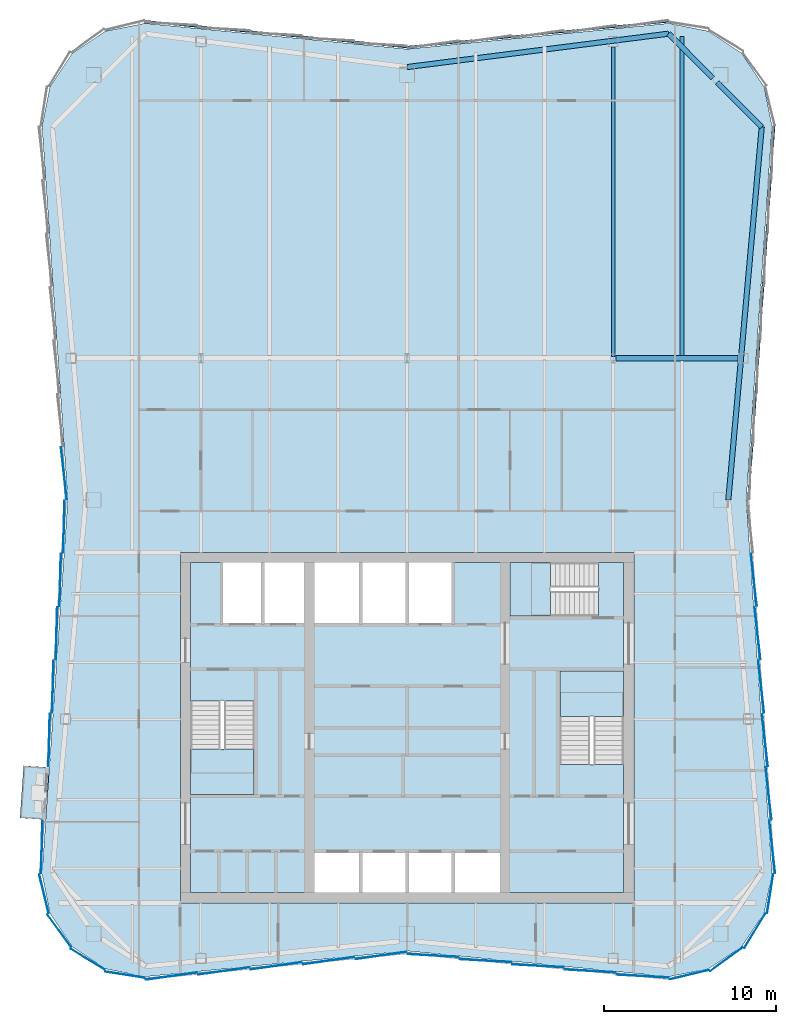
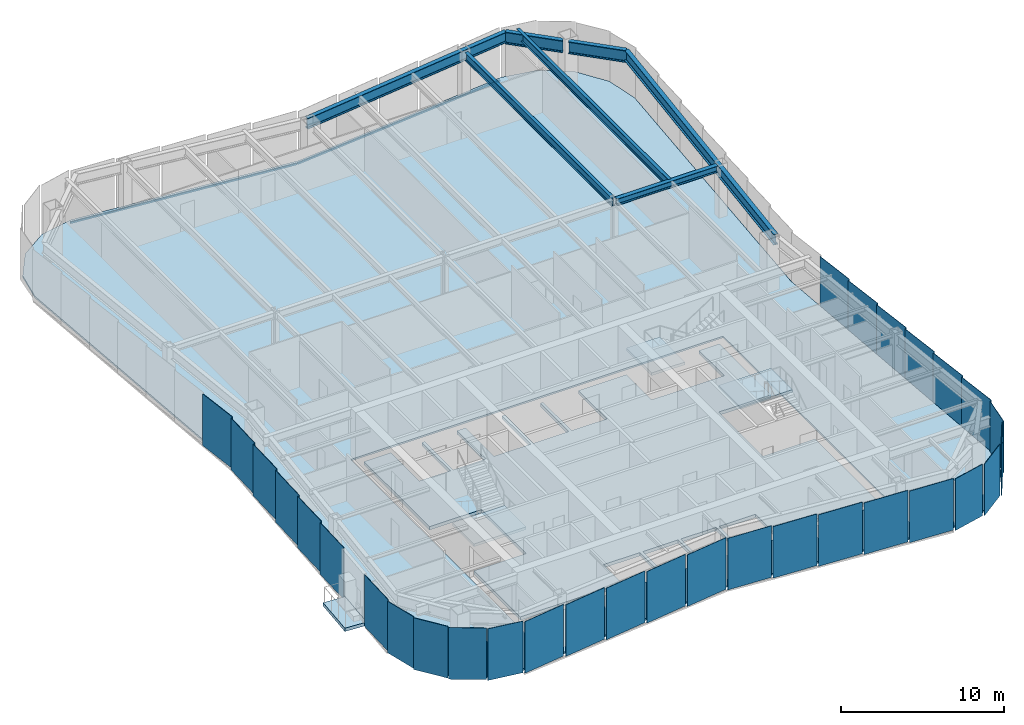
# One storey, part 4 of 10: 31 plates, 7 beams, 6 slabs, 3 members, 9 elements without a shape of their own.
"""IFC4 building model written with IfcOpenShell, lengths in metres."""

from ifc_helpers import new_model, si_unit, direction, frame, origin, origin_2d, place, context, subcontext, project, spatial, polyline, rectangle, i_section, outline, extrude, material, layer, layer_set, material_profile, profile_set, type_object, element, aggregate, save


model = new_model("IFC4")

# Units and contexts
model_context = context("Model", 3, precision=1e-05, world=origin(), true_north=direction((0.0, 1.0)))
body_context = subcontext(model_context, "Body", "Model", "MODEL_VIEW")
ifc_project = project(units=[si_unit("LENGTHUNIT", "METRE"), si_unit("AREAUNIT", "SQUARE_METRE"), si_unit("VOLUMEUNIT", "CUBIC_METRE"), si_unit("PLANEANGLEUNIT", "RADIAN"), si_unit("MASSUNIT", "GRAM", prefix="KILO")], contexts=[model_context])

# Site, building, storey
site_placement = place(None, origin())
site = spatial("IfcSite", under=ifc_project, at=site_placement, CompositionType="ELEMENT")
building_placement = place(site_placement, origin())
building = spatial("IfcBuilding", under=site, at=building_placement, Name="Verdant Reach Tower", CompositionType="ELEMENT")
storey_placement = place(building_placement, frame((0.0, 0.0, 302.0)))
storey = spatial("IfcBuildingStorey", under=building, at=storey_placement, Name="L69", CompositionType="ELEMENT", Elevation=302.0)

# Curtain wall, member
ifc_material_1 = material(Name="Anodised aluminium", Category="aluminium")
curtain_wall_type = type_object("IfcCurtainWallType", Name="EN-CW SYSTEM Z5", PredefinedType="NOTDEFINED", material=ifc_material_1)
curtain_wall_1_placement = place(storey_placement, origin())
curtain_wall_1 = element("IfcCurtainWall", 1, at=curtain_wall_1_placement, inside=storey, type_object=curtain_wall_type, Name="Curtain wall east, L69", PredefinedType="NOTDEFINED")
ifc_material_profile_1 = material_profile(ifc_material_1, rectangle(XDim=0.10009765625, YDim=0.1298828125, at=origin_2d()), Name="Transom 130x100")
ifc_profile_set_1 = profile_set([ifc_material_profile_1], Name="Anodised aluminium")
member_type = type_object("IfcMemberType", Name="EN-TRANSOM Z5", PredefinedType="USERDEFINED", material=ifc_profile_set_1)
member_1_placement = place(storey_placement, frame((19.867431640625, 41.284912109375, -0.284912109375), z_axis=(0.068764705107, 0.997632906099, 0.0), x_axis=(-0.997632906099, 0.068764705107, 0.0)))
member_1 = element("IfcMember", 2, at=member_1_placement, type_object=member_type, Name="Transom east face part 2 1.1, L69", ObjectType="TRANSOM", PredefinedType="USERDEFINED", context=body_context, shape_type="SweptSolid", body=[
    extrude(rectangle(XDim=0.10009765625, YDim=0.1298828125, at=origin_2d()), origin(), (0.0, 0.0, 1.0), 21.739013671875),
])

# Curtain wall, members
curtain_wall_2_placement = place(storey_placement, origin())
curtain_wall_2 = element("IfcCurtainWall", 3, at=curtain_wall_2_placement, inside=storey, type_object=curtain_wall_type, Name="Curtain wall north, L69", PredefinedType="NOTDEFINED")
member_2_placement = place(storey_placement, frame((15.220703125, 69.111328125, -0.284912109375), z_axis=(-0.99520229006, -0.097838652171, 0.0), x_axis=(0.097838652171, -0.99520229006, 0.0)))
member_2 = element("IfcMember", 4, at=member_2_placement, type_object=member_type, Name="Transom north face part 1 1.1, L69", ObjectType="TRANSOM", PredefinedType="USERDEFINED", context=body_context, shape_type="SweptSolid", body=[
    extrude(rectangle(XDim=0.10009765625, YDim=0.1298828125, at=origin_2d()), origin(), (0.0, 0.0, 1.0), 15.259033203125),
])
member_3_placement = place(storey_placement, frame((-0.034912109375, 67.618408203125, -0.284912109375), z_axis=(-0.99520229006, 0.097838652171, 0.0), x_axis=(-0.097838652171, -0.99520229006, 0.0)))
member_3 = element("IfcMember", 5, at=member_3_placement, type_object=member_type, Name="Transom north face part 2 1.1, L69", ObjectType="TRANSOM", PredefinedType="USERDEFINED", context=body_context, shape_type="SweptSolid", body=[
    extrude(rectangle(XDim=0.10009765625, YDim=0.1298828125, at=origin_2d()), origin(), (0.0, 0.0, 1.0), 15.259033203125),
])
aggregate(curtain_wall_2, [member_2, member_3])

# Beams
ifc_material_2 = material(Name="Steel S355", Category="steel")
ifc_material_profile_2 = material_profile(ifc_material_2, i_section(OverallWidth=0.300048828125, OverallDepth=0.489990234375, WebThickness=0.011962890625, FlangeThickness=0.02294921875, FilletRadius=0.027099609375, at=origin_2d()), Name="HEA 500")
ifc_profile_set_2 = profile_set([ifc_material_profile_2], Name="Steel S355")
beam_type_1 = type_object("IfcBeamType", Name="ST-BEAM-HEA500", PredefinedType="BEAM", material=ifc_profile_set_2)
beam_1_placement = place(storey_placement, frame((12.153076171875, 49.5, 3.625), z_axis=(1.0, 0.0, 0.0), x_axis=(0.0, 1.0, 0.0)))
element("IfcBeam", 6, at=beam_1_placement, inside=storey, type_object=beam_type_1, Name="Row girder, L69", PredefinedType="BEAM", context=body_context, shape_type="SweptSolid", body=[
    extrude(i_section(OverallWidth=0.300048828125, OverallDepth=0.489990234375, WebThickness=0.011962890625, FlangeThickness=0.02294921875, FilletRadius=0.027099609375, at=origin_2d()), origin(), (0.0, 0.0, 1.0), 7.115966796875),
])
ifc_material_profile_3 = material_profile(ifc_material_2, i_section(OverallWidth=0.219970703125, OverallDepth=0.60009765625, WebThickness=0.011962890625, FlangeThickness=0.01904296875, FilletRadius=0.02392578125, at=origin_2d()), Name="IPE 600")
ifc_profile_set_3 = profile_set([ifc_material_profile_3], Name="Steel S355")
beam_type_2 = type_object("IfcBeamType", Name="ST-JOIST-IPE600", PredefinedType="JOIST", material=ifc_profile_set_3)
beam_2_placement = place(storey_placement, frame((12.0, 49.60009765625, 3.570068359375), z_axis=(0.0, 1.0, 0.0), x_axis=(-1.0, 0.0, 0.0)))
element("IfcBeam", 7, at=beam_2_placement, inside=storey, type_object=beam_type_2, Name="Floor joist, L69", PredefinedType="JOIST", context=body_context, shape_type="SweptSolid", body=[
    extrude(i_section(OverallWidth=0.219970703125, OverallDepth=0.60009765625, WebThickness=0.011962890625, FlangeThickness=0.01904296875, FilletRadius=0.02392578125, at=origin_2d()), origin(), (0.0, 0.0, 1.0), 18.0302734375),
])
beam_3_placement = place(storey_placement, frame((16.0, 49.60009765625, 3.570068359375), z_axis=(0.0, 1.0, 0.0), x_axis=(-1.0, 0.0, 0.0)))
element("IfcBeam", 8, at=beam_3_placement, inside=storey, type_object=beam_type_2, Name="Floor joist, L69", PredefinedType="JOIST", context=body_context, shape_type="SweptSolid", body=[
    extrude(i_section(OverallWidth=0.219970703125, OverallDepth=0.60009765625, WebThickness=0.011962890625, FlangeThickness=0.01904296875, FilletRadius=0.02392578125, at=origin_2d()), origin(), (0.0, 0.0, 1.0), 18.638916015625),
])
ifc_material_profile_4 = material_profile(ifc_material_2, i_section(OverallWidth=0.300048828125, OverallDepth=0.800048828125, WebThickness=0.017578125, FlangeThickness=0.032958984375, FilletRadius=0.030029296875, at=origin_2d()), Name="HEB 800")
ifc_profile_set_4 = profile_set([ifc_material_profile_4], Name="Steel S355")
beam_type_3 = type_object("IfcBeamType", Name="ST-SPANDREL-HEB800", PredefinedType="SPANDREL", material=ifc_profile_set_4)
beam_4_placement = place(storey_placement, frame((0.0, 66.449951171875, 3.469970703125), z_axis=(0.991938889669, 0.126717162063, 0.0), x_axis=(-0.126717162063, 0.991938889669, 0.0)))
element("IfcBeam", 9, at=beam_4_placement, inside=storey, type_object=beam_type_3, Name="Edge beam, L69", PredefinedType="SPANDREL", context=body_context, shape_type="SweptSolid", body=[
    extrude(i_section(OverallWidth=0.300048828125, OverallDepth=0.800048828125, WebThickness=0.017578125, FlangeThickness=0.032958984375, FilletRadius=0.030029296875, at=origin_2d()), origin(), (0.0, 0.0, 1.0), 15.343994140625),
])
beam_5_placement = place(storey_placement, frame((20.64599609375, 62.96142578125, 3.469970703125), z_axis=(-0.089274399498, -0.996007069048, 0.0), x_axis=(0.996007069048, -0.089274399498, 0.0)))
element("IfcBeam", 10, at=beam_5_placement, inside=storey, type_object=beam_type_3, Name="Edge beam, L69", PredefinedType="SPANDREL", context=body_context, shape_type="SweptSolid", body=[
    extrude(i_section(OverallWidth=0.300048828125, OverallDepth=0.800048828125, WebThickness=0.017578125, FlangeThickness=0.032958984375, FilletRadius=0.030029296875, at=origin_2d()), origin(), (0.0, 0.0, 1.0), 21.798583984375),
])
ifc_material_profile_5 = material_profile(ifc_material_2, i_section(OverallWidth=0.302001953125, OverallDepth=0.909912109375, WebThickness=0.02099609375, FlangeThickness=0.0400390625, FilletRadius=0.030029296875, at=origin_2d()), Name="HEM 900")
ifc_profile_set_5 = profile_set([ifc_material_profile_5], Name="Steel S355")
beam_type_4 = type_object("IfcBeamType", Name="ST-SPANDREL-HEM900", PredefinedType="SPANDREL", material=ifc_profile_set_5)
beam_6_placement = place(storey_placement, frame((15.22021484375, 68.394287109375, 3.4150390625), z_axis=(0.706638520854, -0.707574731632, 0.0), x_axis=(0.707574731632, 0.706638520854, 0.0)))
element("IfcBeam", 11, at=beam_6_placement, inside=storey, type_object=beam_type_4, Name="Edge beam, L69", PredefinedType="SPANDREL", context=body_context, shape_type="SweptSolid", body=[
    extrude(i_section(OverallWidth=0.302001953125, OverallDepth=0.909912109375, WebThickness=0.02099609375, FlangeThickness=0.0400390625, FilletRadius=0.030029296875, at=origin_2d()), origin(), (0.0, 0.0, 1.0), 3.65087890625),
])
beam_7_placement = place(storey_placement, frame((18.060791015625, 65.550048828125, 3.4150390625), z_axis=(0.706639493403, -0.707573760369, 0.0), x_axis=(0.707573760369, 0.706639493403, 0.0)))
element("IfcBeam", 12, at=beam_7_placement, inside=storey, type_object=beam_type_4, Name="Edge beam, L69", PredefinedType="SPANDREL", context=body_context, shape_type="SweptSolid", body=[
    extrude(i_section(OverallWidth=0.302001953125, OverallDepth=0.909912109375, WebThickness=0.02099609375, FlangeThickness=0.0400390625, FilletRadius=0.030029296875, at=origin_2d()), origin(), (0.0, 0.0, 1.0), 3.658447265625),
])

# Stair, slab
ifc_material_3 = material(Name="Concrete C40/50", Category="concrete")
stair_type = type_object("IfcStairType", Name="CO-STAIR", PredefinedType="HALF_TURN_STAIR", material=ifc_material_3)
stair_1_placement = place(storey_placement, origin())
stair_1 = element("IfcStair", 13, at=stair_1_placement, inside=storey, type_object=stair_type, Name="L69 Exit stair 1", PredefinedType="HALF_TURN_STAIR")
ifc_layer_1 = layer(ifc_material_3, 0.199951171875)
ifc_layer_set_1 = layer_set([ifc_layer_1], Name="CO-STAIR-LANDING")
slab_type_1 = type_object("IfcSlabType", Name="CO-STAIR-LANDING", PredefinedType="LANDING", material=ifc_layer_set_1)
slab_1_placement = place(storey_placement, frame((0.0, 0.0, 1.800048828125)))
slab_1 = element("IfcSlab", 14, at=slab_1_placement, type_object=slab_type_1, Name="ST-1 landing 1", PredefinedType="LANDING", context=body_context, shape_type="SweptSolid", body=[
    extrude(outline(polyline([(-12.60009765625, 26.75), (-12.60009765625, 24.10009765625), (-8.89990234375, 24.10009765625), (-8.89990234375, 26.75), (-12.60009765625, 26.75)])), origin(), (0.0, 0.0, 1.0), 0.199951171875),
])
aggregate(stair_1, [slab_1])

stair_2_placement = place(storey_placement, origin())
stair_2 = element("IfcStair", 15, at=stair_2_placement, inside=storey, type_object=stair_type, Name="L69 Exit stair 2", PredefinedType="HALF_TURN_STAIR")
slab_2_placement = place(storey_placement, frame((0.0, 0.0, 1.800048828125)))
slab_2 = element("IfcSlab", 16, at=slab_2_placement, type_object=slab_type_1, Name="ST-2 landing 1", PredefinedType="LANDING", context=body_context, shape_type="SweptSolid", body=[
    extrude(outline(polyline([(12.60009765625, 28.64990234375), (12.60009765625, 31.300048828125), (8.89990234375, 31.300048828125), (8.89990234375, 28.64990234375), (12.60009765625, 28.64990234375)])), origin(), (0.0, 0.0, 1.0), 0.199951171875),
])
aggregate(stair_2, [slab_2])

stair_3_placement = place(storey_placement, origin())
stair_3 = element("IfcStair", 17, at=stair_3_placement, inside=storey, type_object=stair_type, Name="L69 Exit stair 3", PredefinedType="HALF_TURN_STAIR")
slab_3_placement = place(storey_placement, frame((0.0, 0.0, 1.800048828125)))
slab_3 = element("IfcSlab", 18, at=slab_3_placement, type_object=slab_type_1, Name="ST-3 landing 1", PredefinedType="LANDING", context=body_context, shape_type="SweptSolid", body=[
    extrude(outline(polyline([(8.35009765625, 37.60009765625), (6.0, 37.60009765625), (6.0, 34.5), (8.35009765625, 34.5), (8.35009765625, 37.60009765625)])), origin(), (0.0, 0.0, 1.0), 0.199951171875),
])
aggregate(stair_3, [slab_3])

# Slab
ifc_material_4 = material(Name="Concrete C35/45", Category="concrete")
ifc_layer_2 = layer(ifc_material_4, 0.25)
ifc_layer_set_2 = layer_set([ifc_layer_2], Name="EN-BALCONY SLAB")
slab_type_2 = type_object("IfcSlabType", Name="EN-BALCONY SLAB", PredefinedType="FLOOR", material=ifc_layer_set_2)
slab_4_placement = place(storey_placement, frame((0.0, 0.0, -0.25)))
element("IfcSlab", 19, at=slab_4_placement, inside=storey, type_object=slab_type_2, Name="Balcony slab 1, L69", PredefinedType="FLOOR", context=body_context, shape_type="SweptSolid", body=[
    extrude(outline(polyline([(-20.82373046875, 25.679443359375), (-21.033203125, 22.64208984375), (-22.52978515625, 22.745361328125), (-22.3203125, 25.782470703125), (-20.82373046875, 25.679443359375)])), origin(), (0.0, 0.0, 1.0), 0.25),
])

# Curtain wall, plates
curtain_wall_3_placement = place(storey_placement, origin())
curtain_wall_3 = element("IfcCurtainWall", 20, at=curtain_wall_3_placement, inside=storey, type_object=curtain_wall_type, Name="Curtain wall south-east corner, L69", PredefinedType="NOTDEFINED")
ifc_material_5 = material(Name="Tinted glass with champagne spandrel", Category="glass")
ifc_layer_3 = layer(ifc_material_5, 0.031982421875)
ifc_layer_set_3 = layer_set([ifc_layer_3], Name="EN-PANEL CHAMPAGNE")
plate_type_1 = type_object("IfcPlateType", Name="EN-PANEL CHAMPAGNE", PredefinedType="CURTAIN_PANEL", material=ifc_layer_set_3)
plate_1_placement = place(storey_placement, frame((18.58203125, 14.51318359375, -0.219970703125), z_axis=(0.0, 0.0, 1.0), x_axis=(0.807456783236, 0.58992672698, 0.0)))
plate_1 = element("IfcPlate", 21, at=plate_1_placement, type_object=plate_type_1, Name="Glass panel south-east corner 2.1, L69", PredefinedType="CURTAIN_PANEL", context=body_context, shape_type="SweptSolid", body=[
    extrude(rectangle(XDim=2.320068359375, YDim=0.031982421875, at=origin_2d()), origin(), (0.0, 0.0, 1.0), 3.8701171875),
])
plate_2_placement = place(storey_placement, frame((20.23681640625, 16.16796875, -0.219970703125), z_axis=(0.0, 0.0, 1.0), x_axis=(0.520291528711, 0.853988714885, 0.0)))
plate_2 = element("IfcPlate", 22, at=plate_2_placement, type_object=plate_type_1, Name="Glass panel south-east corner 3.1, L69", PredefinedType="CURTAIN_PANEL", context=body_context, shape_type="SweptSolid", body=[
    extrude(rectangle(XDim=2.320068359375, YDim=0.031982421875, at=origin_2d()), origin(), (0.0, 0.0, 1.0), 3.8701171875),
])

# Plate
plate_3_placement = place(storey_placement, frame((21.257568359375, 21.053955078125, -0.219970703125), z_axis=(0.0, 0.0, 1.0), x_axis=(-0.110197580247, 0.993909700782, 0.0)))
plate_3 = element("IfcPlate", 23, at=plate_3_placement, type_object=plate_type_1, Name="Glass panel east face part 1 1.1, L69", PredefinedType="CURTAIN_PANEL", context=body_context, shape_type="SweptSolid", body=[
    extrude(rectangle(XDim=3.063720703125, YDim=0.031982421875, at=origin_2d()), origin(), (0.0, 0.0, 1.0), 3.8701171875),
])

# Curtain wall, plates
curtain_wall_4_placement = place(storey_placement, origin())
curtain_wall_4 = element("IfcCurtainWall", 24, at=curtain_wall_4_placement, inside=storey, type_object=curtain_wall_type, Name="Curtain wall west, L69", PredefinedType="NOTDEFINED")
plate_4_placement = place(storey_placement, frame((-20.8291015625, 27.27587890625, -0.219970703125), z_axis=(0.0, 0.0, 1.0), x_axis=(-0.026965318308, -0.999636369691, 0.0)))
plate_4 = element("IfcPlate", 25, at=plate_4_placement, type_object=plate_type_1, Name="Glass panel west face part 2 5.1, L69", PredefinedType="CURTAIN_PANEL", context=body_context, shape_type="SweptSolid", body=[
    extrude(rectangle(XDim=3.048583984375, YDim=0.031982421875, at=origin_2d()), origin(), (0.0, 0.0, 1.0), 3.8701171875),
])
plate_5_placement = place(storey_placement, frame((-21.257568359375, 21.053955078125, -0.219970703125), z_axis=(0.0, 0.0, 1.0), x_axis=(-0.026642881595, -0.999645015423, 0.0)))
plate_5 = element("IfcPlate", 26, at=plate_5_placement, type_object=plate_type_1, Name="Glass panel west face part 2 7.1, L69", PredefinedType="CURTAIN_PANEL", context=body_context, shape_type="SweptSolid", body=[
    extrude(rectangle(XDim=3.063720703125, YDim=0.031982421875, at=origin_2d()), origin(), (0.0, 0.0, 1.0), 3.8701171875),
])

# Curtain wall, plate
curtain_wall_5_placement = place(storey_placement, origin())
curtain_wall_5 = element("IfcCurtainWall", 27, at=curtain_wall_5_placement, inside=storey, type_object=curtain_wall_type, Name="Curtain wall south-west corner, L69", PredefinedType="NOTDEFINED")
plate_6_placement = place(storey_placement, frame((-16.4228515625, 13.61767578125, -0.219970703125), z_axis=(0.0, 0.0, 1.0), x_axis=(0.988033409454, -0.154240013621, 0.0)))
plate_6 = element("IfcPlate", 28, at=plate_6_placement, type_object=plate_type_1, Name="Glass panel south-west corner 4.1, L69", PredefinedType="CURTAIN_PANEL", context=body_context, shape_type="SweptSolid", body=[
    extrude(rectangle(XDim=2.314453125, YDim=0.031982421875, at=origin_2d()), origin(), (0.0, 0.0, 1.0), 3.8701171875),
])

# Curtain wall, plates
curtain_wall_6_placement = place(storey_placement, origin())
curtain_wall_6 = element("IfcCurtainWall", 29, at=curtain_wall_6_placement, inside=storey, type_object=curtain_wall_type, Name="Curtain wall south, L69", PredefinedType="NOTDEFINED")
plate_7_placement = place(storey_placement, frame((-10.663818359375, 13.83544921875, -0.219970703125), z_axis=(0.0, 0.0, 1.0), x_axis=(0.990225318365, 0.139476947446, 0.0)))
plate_7 = element("IfcPlate", 30, at=plate_7_placement, type_object=plate_type_1, Name="Glass panel south face part 1 2.1, L69", PredefinedType="CURTAIN_PANEL", context=body_context, shape_type="SweptSolid", body=[
    extrude(rectangle(XDim=2.998779296875, YDim=0.031982421875, at=origin_2d()), origin(), (0.0, 0.0, 1.0), 3.8701171875),
])
plate_8_placement = place(storey_placement, frame((-7.61376953125, 14.135498046875, -0.219970703125), z_axis=(0.0, 0.0, 1.0), x_axis=(0.990225318365, 0.139476947446, 0.0)))
plate_8 = element("IfcPlate", 31, at=plate_8_placement, type_object=plate_type_1, Name="Glass panel south face part 1 3.1, L69", PredefinedType="CURTAIN_PANEL", context=body_context, shape_type="SweptSolid", body=[
    extrude(rectangle(XDim=2.998779296875, YDim=0.031982421875, at=origin_2d()), origin(), (0.0, 0.0, 1.0), 3.8701171875),
])
plate_9_placement = place(storey_placement, frame((7.61376953125, 14.135498046875, -0.219970703125), z_axis=(0.0, 0.0, 1.0), x_axis=(0.998423588956, -0.056127863106, 0.0)))
plate_9 = element("IfcPlate", 32, at=plate_9_placement, type_object=plate_type_1, Name="Glass panel south face part 2 3.1, L69", PredefinedType="CURTAIN_PANEL", context=body_context, shape_type="SweptSolid", body=[
    extrude(rectangle(XDim=2.998779296875, YDim=0.031982421875, at=origin_2d()), origin(), (0.0, 0.0, 1.0), 3.8701171875),
])
plate_10_placement = place(storey_placement, frame((10.663818359375, 13.83544921875, -0.219970703125), z_axis=(0.0, 0.0, 1.0), x_axis=(0.998423588956, -0.056127863106, 0.0)))
plate_10 = element("IfcPlate", 33, at=plate_10_placement, type_object=plate_type_1, Name="Glass panel south face part 2 4.1, L69", PredefinedType="CURTAIN_PANEL", context=body_context, shape_type="SweptSolid", body=[
    extrude(rectangle(XDim=2.998779296875, YDim=0.031982421875, at=origin_2d()), origin(), (0.0, 0.0, 1.0), 3.8701171875),
])
plate_11_placement = place(storey_placement, frame((13.72216796875, 13.535400390625, -0.219970703125), z_axis=(0.0, 0.0, 1.0), x_axis=(0.998446157248, -0.055724959185, 0.0)))
plate_11 = element("IfcPlate", 34, at=plate_11_placement, type_object=plate_type_1, Name="Glass panel south face part 2 5.1, L69", PredefinedType="CURTAIN_PANEL", context=body_context, shape_type="SweptSolid", body=[
    extrude(rectangle(XDim=3.015625, YDim=0.031982421875, at=origin_2d()), origin(), (0.0, 0.0, 1.0), 3.8701171875),
])

# Plate
ifc_material_6 = material(Name="Tinted glass with copper spandrel", Category="glass")
ifc_layer_4 = layer(ifc_material_6, 0.031982421875)
ifc_layer_set_4 = layer_set([ifc_layer_4], Name="EN-PANEL COPPER")
plate_type_2 = type_object("IfcPlateType", Name="EN-PANEL COPPER", PredefinedType="CURTAIN_PANEL", material=ifc_layer_set_4)
plate_12_placement = place(storey_placement, frame((21.132080078125, 18.326171875, -0.219970703125), z_axis=(0.0, 0.0, 1.0), x_axis=(0.154337499461, 0.988018186199, 0.0)))
plate_12 = element("IfcPlate", 35, at=plate_12_placement, type_object=plate_type_2, Name="Glass panel south-east corner 4.1, L69", PredefinedType="CURTAIN_PANEL", context=body_context, shape_type="SweptSolid", body=[
    extrude(rectangle(XDim=2.312744140625, YDim=0.031982421875, at=origin_2d()), origin(), (0.0, 0.0, 1.0), 3.8701171875),
])

plate_13_placement = place(storey_placement, frame((21.043212890625, 24.168701171875, -0.219970703125), z_axis=(0.0, 0.0, 1.0), x_axis=(-0.110518162674, 0.993874104562, 0.0)))
plate_13 = element("IfcPlate", 36, at=plate_13_placement, type_object=plate_type_2, Name="Glass panel east face part 1 2.1, L69", PredefinedType="CURTAIN_PANEL", context=body_context, shape_type="SweptSolid", body=[
    extrude(rectangle(XDim=3.048583984375, YDim=0.031982421875, at=origin_2d()), origin(), (0.0, 0.0, 1.0), 3.8701171875),
])

plate_14_placement = place(storey_placement, frame((20.8291015625, 27.27587890625, -0.219970703125), z_axis=(0.0, 0.0, 1.0), x_axis=(-0.110518162674, 0.993874104562, 0.0)))
plate_14 = element("IfcPlate", 37, at=plate_14_placement, type_object=plate_type_2, Name="Glass panel east face part 1 3.1, L69", PredefinedType="CURTAIN_PANEL", context=body_context, shape_type="SweptSolid", body=[
    extrude(rectangle(XDim=3.048583984375, YDim=0.031982421875, at=origin_2d()), origin(), (0.0, 0.0, 1.0), 3.8701171875),
])

plate_15_placement = place(storey_placement, frame((20.61474609375, 30.3828125, -0.219970703125), z_axis=(0.0, 0.0, 1.0), x_axis=(-0.110518162674, 0.993874104562, 0.0)))
plate_15 = element("IfcPlate", 38, at=plate_15_placement, type_object=plate_type_2, Name="Glass panel east face part 1 4.1, L69", PredefinedType="CURTAIN_PANEL", context=body_context, shape_type="SweptSolid", body=[
    extrude(rectangle(XDim=3.048583984375, YDim=0.031982421875, at=origin_2d()), origin(), (0.0, 0.0, 1.0), 3.8701171875),
])

plate_16_placement = place(storey_placement, frame((-19.971923828125, 42.799560546875, -0.219970703125), z_axis=(0.0, 0.0, 1.0), x_axis=(0.110605344993, -0.993864406073, 0.0)))
plate_16 = element("IfcPlate", 39, at=plate_16_placement, type_object=plate_type_2, Name="Glass panel west face part 1 7.1, L69", PredefinedType="CURTAIN_PANEL", context=body_context, shape_type="SweptSolid", body=[
    extrude(rectangle(XDim=3.04052734375, YDim=0.031982421875, at=origin_2d()), origin(), (0.0, 0.0, 1.0), 3.8701171875),
])

plate_17_placement = place(storey_placement, frame((-19.971923828125, 39.700439453125, -0.219970703125), z_axis=(0.0, 0.0, 1.0), x_axis=(-0.027053006415, -0.999634000444, 0.0)))
plate_17 = element("IfcPlate", 40, at=plate_17_placement, type_object=plate_type_2, Name="Glass panel west face part 2 1.1, L69", PredefinedType="CURTAIN_PANEL", context=body_context, shape_type="SweptSolid", body=[
    extrude(rectangle(XDim=3.04052734375, YDim=0.031982421875, at=origin_2d()), origin(), (0.0, 0.0, 1.0), 3.8701171875),
])

plate_18_placement = place(storey_placement, frame((-20.18603515625, 36.59716796875, -0.219970703125), z_axis=(0.0, 0.0, 1.0), x_axis=(-0.026965318308, -0.999636369691, 0.0)))
plate_18 = element("IfcPlate", 41, at=plate_18_placement, type_object=plate_type_2, Name="Glass panel west face part 2 2.1, L69", PredefinedType="CURTAIN_PANEL", context=body_context, shape_type="SweptSolid", body=[
    extrude(rectangle(XDim=3.048583984375, YDim=0.031982421875, at=origin_2d()), origin(), (0.0, 0.0, 1.0), 3.8701171875),
])

plate_19_placement = place(storey_placement, frame((-4.563720703125, 14.435546875, -0.219970703125), z_axis=(0.0, 0.0, 1.0), x_axis=(0.990225318365, 0.139476947446, 0.0)))
plate_19 = element("IfcPlate", 42, at=plate_19_placement, type_object=plate_type_2, Name="Glass panel south face part 1 4.1, L69", PredefinedType="CURTAIN_PANEL", context=body_context, shape_type="SweptSolid", body=[
    extrude(rectangle(XDim=2.998779296875, YDim=0.031982421875, at=origin_2d()), origin(), (0.0, 0.0, 1.0), 3.8701171875),
])

plate_20_placement = place(storey_placement, frame((-1.519287109375, 14.7353515625, -0.219970703125), z_axis=(0.0, 0.0, 1.0), x_axis=(0.990200074141, 0.139656053116, 0.0)))
plate_20 = element("IfcPlate", 43, at=plate_20_placement, type_object=plate_type_2, Name="Glass panel south face part 1 5.1, L69", PredefinedType="CURTAIN_PANEL", context=body_context, shape_type="SweptSolid", body=[
    extrude(rectangle(XDim=2.987548828125, YDim=0.031982421875, at=origin_2d()), origin(), (0.0, 0.0, 1.0), 3.8701171875),
])

ifc_material_7 = material(Name="Tinted glass with dark bronze spandrel", Category="glass")
ifc_layer_5 = layer(ifc_material_7, 0.031982421875)
ifc_layer_set_5 = layer_set([ifc_layer_5], Name="EN-PANEL DARK")
plate_type_3 = type_object("IfcPlateType", Name="EN-PANEL DARK", PredefinedType="CURTAIN_PANEL", material=ifc_layer_set_5)
plate_21_placement = place(storey_placement, frame((16.4228515625, 13.61767578125, -0.219970703125), z_axis=(0.0, 0.0, 1.0), x_axis=(0.971661765526, 0.236375577028, 0.0)))
plate_21 = element("IfcPlate", 44, at=plate_21_placement, type_object=plate_type_3, Name="Glass panel south-east corner 1.1, L69", PredefinedType="CURTAIN_PANEL", context=body_context, shape_type="SweptSolid", body=[
    extrude(rectangle(XDim=2.314453125, YDim=0.031982421875, at=origin_2d()), origin(), (0.0, 0.0, 1.0), 3.8701171875),
])

aggregate(curtain_wall_3, [plate_21, plate_1, plate_2, plate_12])

plate_22_placement = place(storey_placement, frame((20.400390625, 33.489990234375, -0.219970703125), z_axis=(0.0, 0.0, 1.0), x_axis=(-0.110518162674, 0.993874104562, 0.0)))
plate_22 = element("IfcPlate", 45, at=plate_22_placement, type_object=plate_type_3, Name="Glass panel east face part 1 5.1, L69", PredefinedType="CURTAIN_PANEL", context=body_context, shape_type="SweptSolid", body=[
    extrude(rectangle(XDim=3.048583984375, YDim=0.031982421875, at=origin_2d()), origin(), (0.0, 0.0, 1.0), 3.8701171875),
])

plate_23_placement = place(storey_placement, frame((20.18603515625, 36.59716796875, -0.219970703125), z_axis=(0.0, 0.0, 1.0), x_axis=(-0.110518162674, 0.993874104562, 0.0)))
plate_23 = element("IfcPlate", 46, at=plate_23_placement, type_object=plate_type_3, Name="Glass panel east face part 1 6.1, L69", PredefinedType="CURTAIN_PANEL", context=body_context, shape_type="SweptSolid", body=[
    extrude(rectangle(XDim=3.048583984375, YDim=0.031982421875, at=origin_2d()), origin(), (0.0, 0.0, 1.0), 3.8701171875),
])

aggregate(curtain_wall_1, [plate_3, plate_13, plate_14, plate_15, plate_22, plate_23, member_1])

plate_24_placement = place(storey_placement, frame((-20.400390625, 33.489990234375, -0.219970703125), z_axis=(0.0, 0.0, 1.0), x_axis=(-0.026965318308, -0.999636369691, 0.0)))
plate_24 = element("IfcPlate", 47, at=plate_24_placement, type_object=plate_type_3, Name="Glass panel west face part 2 3.1, L69", PredefinedType="CURTAIN_PANEL", context=body_context, shape_type="SweptSolid", body=[
    extrude(rectangle(XDim=3.048583984375, YDim=0.031982421875, at=origin_2d()), origin(), (0.0, 0.0, 1.0), 3.8701171875),
])

plate_25_placement = place(storey_placement, frame((-20.61474609375, 30.3828125, -0.219970703125), z_axis=(0.0, 0.0, 1.0), x_axis=(-0.026965318308, -0.999636369691, 0.0)))
plate_25 = element("IfcPlate", 48, at=plate_25_placement, type_object=plate_type_3, Name="Glass panel west face part 2 4.1, L69", PredefinedType="CURTAIN_PANEL", context=body_context, shape_type="SweptSolid", body=[
    extrude(rectangle(XDim=3.048583984375, YDim=0.031982421875, at=origin_2d()), origin(), (0.0, 0.0, 1.0), 3.8701171875),
])

aggregate(curtain_wall_4, [plate_16, plate_17, plate_18, plate_24, plate_25, plate_4, plate_5])

plate_26_placement = place(storey_placement, frame((-21.132080078125, 18.326171875, -0.219970703125), z_axis=(0.0, 0.0, 1.0), x_axis=(0.236471447122, -0.971638438256, 0.0)))
plate_26 = element("IfcPlate", 49, at=plate_26_placement, type_object=plate_type_3, Name="Glass panel south-west corner 1.1, L69", PredefinedType="CURTAIN_PANEL", context=body_context, shape_type="SweptSolid", body=[
    extrude(rectangle(XDim=2.312744140625, YDim=0.031982421875, at=origin_2d()), origin(), (0.0, 0.0, 1.0), 3.8701171875),
])

plate_27_placement = place(storey_placement, frame((-20.23681640625, 16.16796875, -0.219970703125), z_axis=(0.0, 0.0, 1.0), x_axis=(0.58992672698, -0.807456783236, 0.0)))
plate_27 = element("IfcPlate", 50, at=plate_27_placement, type_object=plate_type_3, Name="Glass panel south-west corner 2.1, L69", PredefinedType="CURTAIN_PANEL", context=body_context, shape_type="SweptSolid", body=[
    extrude(rectangle(XDim=2.320068359375, YDim=0.031982421875, at=origin_2d()), origin(), (0.0, 0.0, 1.0), 3.8701171875),
])

plate_28_placement = place(storey_placement, frame((-18.58203125, 14.51318359375, -0.219970703125), z_axis=(0.0, 0.0, 1.0), x_axis=(0.853988714885, -0.520291528711, 0.0)))
plate_28 = element("IfcPlate", 51, at=plate_28_placement, type_object=plate_type_3, Name="Glass panel south-west corner 3.1, L69", PredefinedType="CURTAIN_PANEL", context=body_context, shape_type="SweptSolid", body=[
    extrude(rectangle(XDim=2.320068359375, YDim=0.031982421875, at=origin_2d()), origin(), (0.0, 0.0, 1.0), 3.8701171875),
])

aggregate(curtain_wall_5, [plate_26, plate_27, plate_28, plate_6])

plate_29_placement = place(storey_placement, frame((-13.72216796875, 13.535400390625, -0.219970703125), z_axis=(0.0, 0.0, 1.0), x_axis=(0.990281521639, 0.139077345032, 0.0)))
plate_29 = element("IfcPlate", 52, at=plate_29_placement, type_object=plate_type_3, Name="Glass panel south face part 1 1.1, L69", PredefinedType="CURTAIN_PANEL", context=body_context, shape_type="SweptSolid", body=[
    extrude(rectangle(XDim=3.015625, YDim=0.031982421875, at=origin_2d()), origin(), (0.0, 0.0, 1.0), 3.8701171875),
])

plate_30_placement = place(storey_placement, frame((1.519287109375, 14.7353515625, -0.219970703125), z_axis=(0.0, 0.0, 1.0), x_axis=(0.998413420442, -0.05630845301, 0.0)))
plate_30 = element("IfcPlate", 53, at=plate_30_placement, type_object=plate_type_3, Name="Glass panel south face part 2 1.1, L69", PredefinedType="CURTAIN_PANEL", context=body_context, shape_type="SweptSolid", body=[
    extrude(rectangle(XDim=2.987548828125, YDim=0.031982421875, at=origin_2d()), origin(), (0.0, 0.0, 1.0), 3.8701171875),
])

plate_31_placement = place(storey_placement, frame((4.563720703125, 14.435546875, -0.219970703125), z_axis=(0.0, 0.0, 1.0), x_axis=(0.998423588956, -0.056127863106, 0.0)))
plate_31 = element("IfcPlate", 54, at=plate_31_placement, type_object=plate_type_3, Name="Glass panel south face part 2 2.1, L69", PredefinedType="CURTAIN_PANEL", context=body_context, shape_type="SweptSolid", body=[
    extrude(rectangle(XDim=2.998779296875, YDim=0.031982421875, at=origin_2d()), origin(), (0.0, 0.0, 1.0), 3.8701171875),
])

aggregate(curtain_wall_6, [plate_29, plate_7, plate_8, plate_19, plate_20, plate_30, plate_31, plate_9, plate_10, plate_11])

# Slabs
ifc_material_8 = material(Name="Concrete C35/45", Category="concrete")
ifc_layer_6 = layer(ifc_material_8, 0.1298828125)
ifc_layer_set_6 = layer_set([ifc_layer_6], Name="ST-SLAB-130")
slab_type_3 = type_object("IfcSlabType", Name="ST-SLAB-130", PredefinedType="FLOOR", material=ifc_layer_set_6)
slab_5_placement = place(storey_placement, frame((0.0, 0.0, -0.1298828125)))
element("IfcSlab", 55, at=slab_5_placement, inside=storey, type_object=slab_type_3, Name="Floor slab L69", PredefinedType="FLOOR", context=body_context, shape_type="SweptSolid", body=[
    extrude(outline(polyline([(0.0, 15.0), (-15.25, 13.5), (-17.546142578125, 13.956787109375), (-19.49267578125, 15.25732421875), (-20.793212890625, 17.203857421875), (-21.25, 19.5), (-19.75, 41.25), (-21.25, 63.0), (-20.793212890625, 65.296142578125), (-19.49267578125, 67.24267578125), (-17.546142578125, 68.543212890625), (-15.25, 69.0), (0.0, 67.5), (15.25, 69.0), (17.546142578125, 68.543212890625), (19.49267578125, 67.24267578125), (20.793212890625, 65.296142578125), (21.25, 63.0), (19.75, 41.25), (21.25, 19.5), (20.793212890625, 17.203857421875), (19.49267578125, 15.25732421875), (17.546142578125, 13.956787109375), (15.25, 13.5), (0.0, 15.0)]), holes=[polyline([(13.199951171875, 38.199951171875), (-13.199951171875, 38.199951171875), (-13.199951171875, 17.800048828125), (13.199951171875, 17.800048828125), (13.199951171875, 38.199951171875)])]), origin(), (0.0, 0.0, 1.0), 0.1298828125),
])
ifc_layer_7 = layer(ifc_material_8, 0.25)
ifc_layer_set_7 = layer_set([ifc_layer_7], Name="ST-SLAB-250")
slab_type_4 = type_object("IfcSlabType", Name="ST-SLAB-250", PredefinedType="FLOOR", material=ifc_layer_set_7)
slab_6_placement = place(storey_placement, frame((0.0, 0.0, -0.25)))
element("IfcSlab", 56, at=slab_6_placement, inside=storey, type_object=slab_type_4, Name="Core floor slab L69", PredefinedType="FLOOR", context=body_context, shape_type="SweptSolid", body=[
    extrude(outline(polyline([(12.60009765625, 18.39990234375), (5.39990234375, 18.39990234375), (5.39990234375, 20.699951171875), (2.800048828125, 20.699951171875), (2.800048828125, 18.39990234375), (2.60009765625, 18.39990234375), (2.60009765625, 20.699951171875), (0.10009765625, 20.699951171875), (0.10009765625, 18.39990234375), (-0.10009765625, 18.39990234375), (-0.10009765625, 20.699951171875), (-2.60009765625, 20.699951171875), (-2.60009765625, 18.39990234375), (-2.800048828125, 18.39990234375), (-2.800048828125, 20.699951171875), (-5.39990234375, 20.699951171875), (-5.39990234375, 18.39990234375), (-12.60009765625, 18.39990234375), (-12.60009765625, 24.10009765625), (-8.89990234375, 24.10009765625), (-8.89990234375, 29.548095703125), (-12.60009765625, 29.548095703125), (-12.60009765625, 37.60009765625), (-10.699951171875, 37.60009765625), (-10.699951171875, 34.10009765625), (-8.5, 34.10009765625), (-8.5, 37.60009765625), (-8.300048828125, 37.60009765625), (-8.300048828125, 34.10009765625), (-6.0, 34.10009765625), (-6.0, 37.60009765625), (-5.39990234375, 37.60009765625), (-5.39990234375, 34.10009765625), (-2.800048828125, 34.10009765625), (-2.800048828125, 37.60009765625), (-2.60009765625, 37.60009765625), (-2.60009765625, 34.10009765625), (-0.10009765625, 34.10009765625), (-0.10009765625, 37.60009765625), (0.10009765625, 37.60009765625), (0.10009765625, 34.10009765625), (2.60009765625, 34.10009765625), (2.60009765625, 37.60009765625), (6.0, 37.60009765625), (6.0, 34.5), (11.14794921875, 34.5), (11.14794921875, 37.60009765625), (12.60009765625, 37.60009765625), (12.60009765625, 31.300048828125), (8.89990234375, 31.300048828125), (8.89990234375, 25.85205078125), (12.60009765625, 25.85205078125), (12.60009765625, 18.39990234375)])), origin(), (0.0, 0.0, 1.0), 0.25),
])

save(model, "model.ifc")
